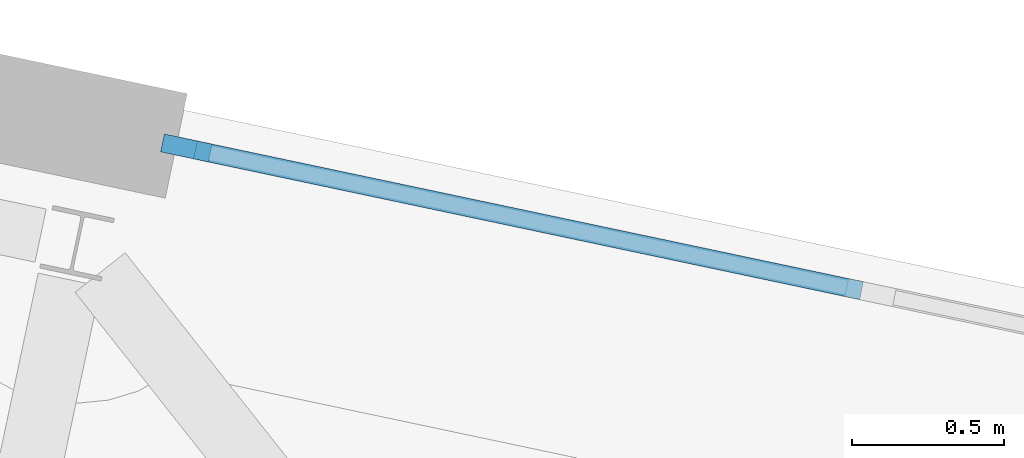
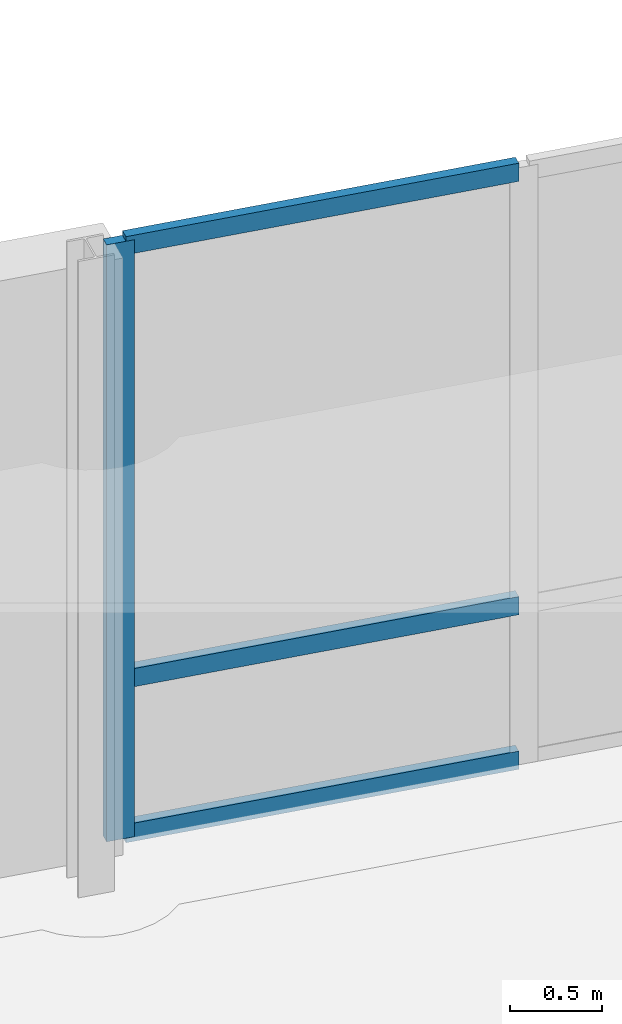
# One storey, part 38 of 125: 4 members, 1 element without a shape of its own.
"""IFC4 building model written with IfcOpenShell, lengths in metres."""

from ifc_helpers import new_model, si_unit, direction, frame, origin, origin_2d, place, context, subcontext, project, spatial, rectangle, extrude, material, material_profile, profile_set, type_object, element, aggregate, save


model = new_model("IFC4")

# Units and contexts
model_context = context("Model", 3, precision=1e-05, world=origin(), true_north=direction((0.0, 1.0)))
body_context = subcontext(model_context, "Body", "Model", "MODEL_VIEW")
ifc_project = project(units=[si_unit("LENGTHUNIT", "METRE"), si_unit("AREAUNIT", "SQUARE_METRE"), si_unit("VOLUMEUNIT", "CUBIC_METRE"), si_unit("PLANEANGLEUNIT", "RADIAN"), si_unit("MASSUNIT", "GRAM", prefix="KILO")], contexts=[model_context])

# Site, building, storey
site_placement = place(None, origin())
site = spatial("IfcSite", under=ifc_project, at=site_placement, CompositionType="ELEMENT")
building_placement = place(site_placement, origin())
building = spatial("IfcBuilding", under=site, at=building_placement, Name="Wrenclough Park School", CompositionType="ELEMENT")
storey_placement = place(building_placement, frame((0.0, 0.0, 4.199951171875)))
storey = spatial("IfcBuildingStorey", under=building, at=storey_placement, Name="L01", CompositionType="ELEMENT", Elevation=4.199951171875)

# Curtain wall, members
ifc_material_1 = material(Name="Thermally broken aluminium and low-e glass curtain wall", Category="aluminium")
curtain_wall_type = type_object("IfcCurtainWallType", Name="ENV-CW-07", PredefinedType="USERDEFINED", material=ifc_material_1)
curtain_wall_placement = place(storey_placement, origin())
curtain_wall = element("IfcCurtainWall", 1, at=curtain_wall_placement, inside=storey, type_object=curtain_wall_type, Name="L01 recessed curtain wall assembly 150", ObjectType="CURTAIN WALL", PredefinedType="USERDEFINED")
ifc_material_2 = material(Name="Thermally broken anodised aluminium", Category="aluminium")
ifc_material_profile_1 = material_profile(ifc_material_2, rectangle(XDim=0.06005859375, YDim=0.159912109375, at=origin_2d()), Name="AL MULLION 60x160")
ifc_profile_set_1 = profile_set([ifc_material_profile_1], Name="Thermally broken anodised aluminium")
member_type_1 = type_object("IfcMemberType", Name="ENV-CWM-1", PredefinedType="MULLION", material=ifc_profile_set_1)
member_1_placement = place(storey_placement, frame((129.414306640625, 36.797607421875, 0.0), z_axis=(0.0, 0.0, 1.0), x_axis=(0.206819986347, 0.978379013086, 0.0)))
member_1 = element("IfcMember", 2, at=member_1_placement, type_object=member_type_1, Name="CW-07 mullion 1", PredefinedType="MULLION", context=body_context, shape_type="SweptSolid", body=[
    extrude(rectangle(XDim=0.06005859375, YDim=0.159912109375, at=origin_2d()), origin(), (0.0, 0.0, 1.0), 3.93994140625),
])
ifc_material_profile_2 = material_profile(ifc_material_2, rectangle(XDim=0.06005859375, YDim=0.1201171875, at=origin_2d()), Name="AL TRANSOM 60x120")
ifc_profile_set_2 = profile_set([ifc_material_profile_2], Name="Thermally broken anodised aluminium")
member_type_2 = type_object("IfcMemberType", Name="ENV-CWT-1", PredefinedType="USERDEFINED", material=ifc_profile_set_2)
member_2_placement = place(storey_placement, frame((129.443603515625, 36.791259765625, 0.030029296875), z_axis=(0.978391809184, -0.206759444094, 0.0), x_axis=(0.206759444094, 0.978391809184, 0.0)))
member_2 = element("IfcMember", 3, at=member_2_placement, type_object=member_type_2, Name="CW-07 transom 1.1", ObjectType="TRANSOM", PredefinedType="USERDEFINED", context=body_context, shape_type="SweptSolid", body=[
    extrude(rectangle(XDim=0.06005859375, YDim=0.1201171875, at=origin_2d()), origin(), (0.0, 0.0, 1.0), 2.234130859375),
])
member_3_placement = place(storey_placement, frame((129.443603515625, 36.791259765625, 1.050048828125), z_axis=(0.978391809184, -0.206759444094, 0.0), x_axis=(0.206759444094, 0.978391809184, 0.0)))
member_3 = element("IfcMember", 4, at=member_3_placement, type_object=member_type_2, Name="CW-07 transom 1.2", ObjectType="TRANSOM", PredefinedType="USERDEFINED", context=body_context, shape_type="SweptSolid", body=[
    extrude(rectangle(XDim=0.06005859375, YDim=0.1201171875, at=origin_2d()), origin(), (0.0, 0.0, 1.0), 2.234130859375),
])
member_4_placement = place(storey_placement, frame((129.443603515625, 36.791259765625, 3.91015625), z_axis=(0.978391809184, -0.206759444094, 0.0), x_axis=(0.206759444094, 0.978391809184, 0.0)))
member_4 = element("IfcMember", 5, at=member_4_placement, type_object=member_type_2, Name="CW-07 transom 1.3", ObjectType="TRANSOM", PredefinedType="USERDEFINED", context=body_context, shape_type="SweptSolid", body=[
    extrude(rectangle(XDim=0.06005859375, YDim=0.1201171875, at=origin_2d()), origin(), (0.0, 0.0, 1.0), 2.234130859375),
])
aggregate(curtain_wall, [member_1, member_2, member_3, member_4])

save(model, "model.ifc")
